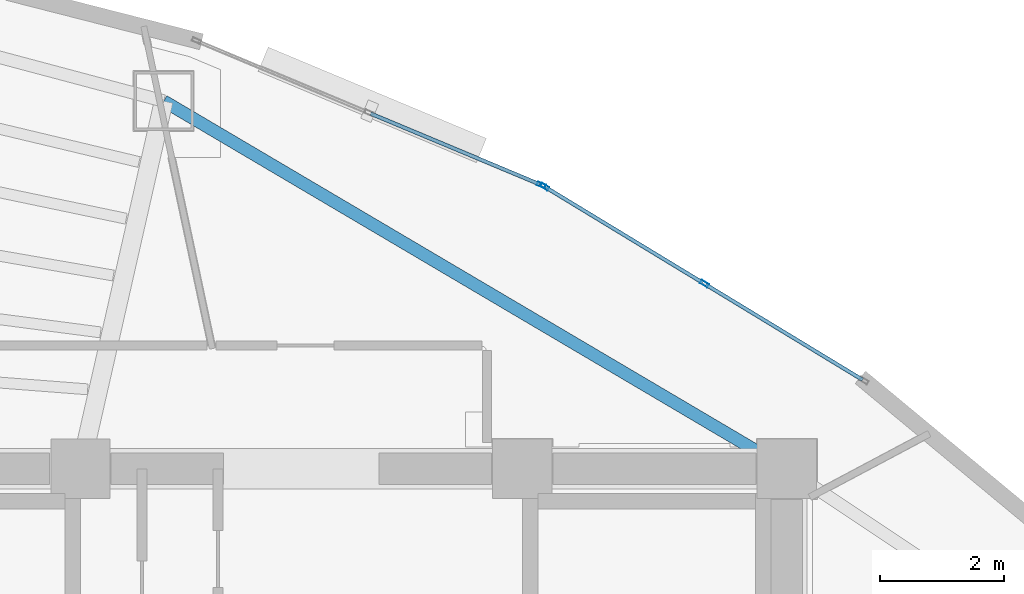
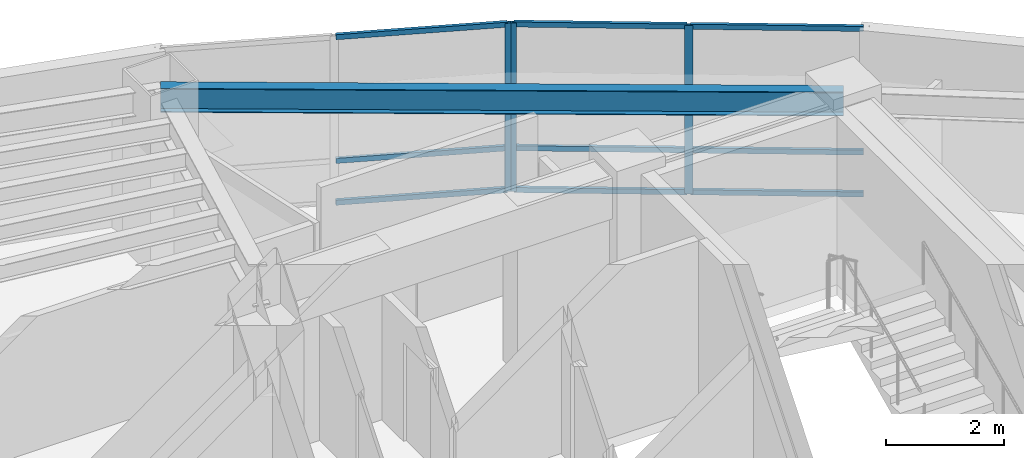
# One storey, part 10 of 15: 12 members, 1 beam, 2 elements without a shape of their own.
"""IFC4 building model written with IfcOpenShell, lengths in metres."""

import ifcopenshell
import ifcopenshell.guid

model = None  # the IFC model being written
_history = None  # IfcOwnerHistory: only IFC2X3 demands one
_inside = {}  # id of a spatial element -> (the spatial element, [elements in it])
_under = {}  # id of a project, library or spatial element -> (it, [spatial elements below it])
_declared = {}  # id of a project -> (the project, [libraries it declares])
_typed = {}  # id of a type object -> (the type object, [elements of that type])
_made_of = {}  # id of a material, layer set ... -> (it, [elements and type objects made of it])


def new_model(schema):
    """Start an empty IFC model of exactly this schema.

    Asked for "IFC4X3", IfcOpenShell would pick the latest addendum, in which some entities
    have other attributes; the version numbers below select the first issue.
    IFC2X3 requires an IfcOwnerHistory on every rooted entity: one is made here for all.
    """
    global model, _history
    if schema == "IFC4X3":
        model = ifcopenshell.file(schema_version=(4, 3, 0, 0))
    else:
        model = ifcopenshell.file(schema=schema)
    _inside.clear()
    _under.clear()
    _declared.clear()
    _typed.clear()
    _made_of.clear()
    _history = None
    if model.schema == "IFC2X3":
        org = make("IfcOrganization", Name="unknown")
        user = make(
            "IfcPersonAndOrganization",
            ThePerson=make("IfcPerson", FamilyName="unknown"),
            TheOrganization=org,
        )
        app = make(
            "IfcApplication",
            ApplicationDeveloper=org,
            Version="unknown",
            ApplicationFullName="unknown",
            ApplicationIdentifier="unknown",
        )
        _history = make(
            "IfcOwnerHistory",
            OwningUser=user,
            OwningApplication=app,
            ChangeAction="ADDED",
            CreationDate=0,
        )
    return model


def make(cls, **values):
    """One entity of the class cls with the attributes given. An attribute that is None is left unset."""
    return model.create_entity(
        cls, **{name: value for name, value in values.items() if value is not None}
    )


def rooted(cls, **values):
    """An entity with a GlobalId (a new one), such as an element, a storey or a relation."""
    return make(cls, GlobalId=ifcopenshell.guid.new(), OwnerHistory=_history, **values)


def si_unit(unit_type, name, prefix=None):
    """IfcSIUnit, for example si_unit("LENGTHUNIT", "METRE", prefix="MILLI")."""
    return make("IfcSIUnit", UnitType=unit_type, Prefix=prefix, Name=name)


def assignment(units):
    """IfcUnitAssignment: the units of a project."""
    return None if units is None else make("IfcUnitAssignment", Units=units)


def point(xyz):
    """IfcCartesianPoint."""
    return None if xyz is None else make("IfcCartesianPoint", Coordinates=xyz)


def direction(xyz):
    """IfcDirection."""
    return None if xyz is None else make("IfcDirection", DirectionRatios=xyz)


def frame(location, z_axis=None, x_axis=None):
    """IfcAxis2Placement3D, a coordinate frame: its origin and axes. An axis left out is left unset."""
    return make(
        "IfcAxis2Placement3D",
        Location=point(location),
        Axis=direction(z_axis),
        RefDirection=direction(x_axis),
    )


def frame_2d(location, x_axis=None):
    """IfcAxis2Placement2D, a coordinate frame in the plane: its origin and x axis."""
    return make(
        "IfcAxis2Placement2D", Location=point(location), RefDirection=direction(x_axis)
    )


def origin():
    """The frame at (0, 0, 0) with its axes left unset."""
    return frame((0.0, 0.0, 0.0))


def origin_2d():
    """The frame at (0, 0) in the plane with its x axis left unset."""
    return frame_2d((0.0, 0.0))


def place(relative_to, where):
    """IfcLocalPlacement: puts the frame where relative to a parent placement (None: the world)."""
    return make(
        "IfcLocalPlacement", PlacementRelTo=relative_to, RelativePlacement=where
    )


def context(
    kind, dimensions, precision=None, world=None, true_north=None, identifier=None
):
    """IfcGeometricRepresentationContext, for example the 3D "Model" context."""
    return make(
        "IfcGeometricRepresentationContext",
        ContextIdentifier=identifier,
        ContextType=kind,
        CoordinateSpaceDimension=dimensions,
        Precision=precision,
        WorldCoordinateSystem=world,
        TrueNorth=true_north,
    )


def subcontext(parent, identifier, kind, view, scale=None):
    """IfcGeometricRepresentationSubContext, for example "Body" below "Model"."""
    return make(
        "IfcGeometricRepresentationSubContext",
        ContextIdentifier=identifier,
        ContextType=kind,
        ParentContext=parent,
        TargetScale=scale,
        TargetView=view,
    )


def project(units=None, contexts=None):
    """IfcProject with its units and contexts."""
    return rooted(
        "IfcProject",
        Name="project",
        RepresentationContexts=contexts,
        UnitsInContext=assignment(units),
    )


def spatial(cls, under=None, at=None, **own):
    """A site, building, storey or space (cls), placed at a placement, below another one or the project."""
    s = rooted(cls, ObjectPlacement=at, **own)
    if under is not None:
        _under.setdefault(under.id(), (under, []))[1].append(s)
    return s


def profile(cls, at=None, kind="AREA", **sizes):
    """A parametric profile (cls). Its sizes go by their IFC names, for example OverallWidth=200.0."""
    return make(cls, ProfileType=kind, Position=at, **sizes)


def hollow_rectangle(**sizes):
    """IfcRectangleHollowProfileDef."""
    return profile("IfcRectangleHollowProfileDef", **sizes)


def i_section(**sizes):
    """IfcIShapeProfileDef."""
    return profile("IfcIShapeProfileDef", **sizes)


def extrude(swept, where, along, depth):
    """IfcExtrudedAreaSolid: the profile swept, set in the frame where, extruded along a direction by depth."""
    return make(
        "IfcExtrudedAreaSolid",
        SweptArea=swept,
        Position=where,
        ExtrudedDirection=direction(along),
        Depth=depth,
    )


def shape(context_of_items, identifier, shape_type, items):
    """IfcShapeRepresentation: the items that make up one representation, for example the "Body"."""
    return make(
        "IfcShapeRepresentation",
        ContextOfItems=context_of_items,
        RepresentationIdentifier=identifier,
        RepresentationType=shape_type,
        Items=items,
    )


def material(Name=None, Category=None):
    """IfcMaterial."""
    return make("IfcMaterial", Name=Name, Category=Category)


def layer(
    of_material, thickness, ventilated=None, Name=None, Category=None, Priority=None
):
    """IfcMaterialLayer: one layer of a wall or slab, of a material (None: an air gap)."""
    return make(
        "IfcMaterialLayer",
        Material=of_material,
        LayerThickness=thickness,
        IsVentilated=ventilated,
        Name=Name,
        Category=Category,
        Priority=Priority,
    )


def layer_set(layers, Name=None):
    """IfcMaterialLayerSet."""
    return make("IfcMaterialLayerSet", MaterialLayers=layers, LayerSetName=Name)


def material_profile(
    of_material, cross_section, Name=None, Category=None, Priority=None
):
    """IfcMaterialProfile: a cross section and its material."""
    return make(
        "IfcMaterialProfile",
        Name=Name,
        Material=of_material,
        Profile=cross_section,
        Priority=Priority,
        Category=Category,
    )


def profile_set(profiles, Name=None, composite=None):
    """IfcMaterialProfileSet."""
    return make(
        "IfcMaterialProfileSet",
        Name=Name,
        MaterialProfiles=profiles,
        CompositeProfile=composite,
    )


def made_of(thing, what):
    """Note that an element or type object is made of a material, layer set ...; save() writes the relation."""
    if what is not None:
        _made_of.setdefault(what.id(), (what, []))[1].append(thing)
    return thing


def type_object(cls, material=None, **own):
    """A type object (cls), such as IfcWallType, which elements share."""
    return made_of(rooted(cls, **own), material)


def element(
    cls,
    number,
    at=None,
    inside=None,
    cuts=None,
    type_object=None,
    material=None,
    context=None,
    identifier="Body",
    shape_type=None,
    held_by="IfcProductDefinitionShape",
    body=None,
    shapes=None,
    **own,
):
    """One element of the class cls, such as IfcWall. Its Tag is "e" and its number.

    at: its placement. inside: the storey or other place that contains it. cuts: it is an
    opening in that element (IfcRelVoidsElement). A single representation is given by context,
    identifier, shape_type and body (its items); several are given by shapes. held_by: the class
    of the entity that holds the representations. save() writes the other relations.
    """
    e = rooted(cls, Tag="e%d" % number, ObjectPlacement=at, **own)
    if body is not None:
        shapes = [shape(context, identifier, shape_type, body)]
    if shapes is not None:
        e.Representation = make(held_by, Representations=shapes)
    if inside is not None:
        _inside.setdefault(inside.id(), (inside, []))[1].append(e)
    if cuts is not None:
        rooted(
            "IfcRelVoidsElement", RelatingBuildingElement=cuts, RelatedOpeningElement=e
        )
    if type_object is not None:
        _typed.setdefault(type_object.id(), (type_object, []))[1].append(e)
    return made_of(e, material)


def aggregate(whole, parts):
    """IfcRelAggregates: a whole, such as a stair, and the parts it consists of."""
    return rooted("IfcRelAggregates", RelatingObject=whole, RelatedObjects=parts)


def save(model, path):
    """Write the relations noted so far, then the file.

    IfcRelAggregates (storeys below a building ...), IfcRelContainedInSpatialStructure (elements
    in a storey), IfcRelDefinesByType, IfcRelAssociatesMaterial and IfcRelDeclares: one each for
    every whole, place, type object, material and project.
    """
    for whole, parts in _under.values():
        aggregate(whole, parts)
    for where, things in _inside.values():
        rooted(
            "IfcRelContainedInSpatialStructure",
            RelatedElements=things,
            RelatingStructure=where,
        )
    for kind, things in _typed.values():
        rooted("IfcRelDefinesByType", RelatedObjects=things, RelatingType=kind)
    for what, things in _made_of.values():
        rooted("IfcRelAssociatesMaterial", RelatedObjects=things, RelatingMaterial=what)
    for by, libraries in _declared.values():
        rooted("IfcRelDeclares", RelatingContext=by, RelatedDefinitions=libraries)
    model.write(path)


model = new_model("IFC4")

# Units and contexts
model_context = context("Model", 3, precision=1e-05, world=origin(), true_north=direction((0.0, 1.0)))
body_context = subcontext(model_context, "Body", "Model", "MODEL_VIEW")
ifc_project = project(units=[si_unit("LENGTHUNIT", "METRE"), si_unit("AREAUNIT", "SQUARE_METRE"), si_unit("VOLUMEUNIT", "CUBIC_METRE"), si_unit("PLANEANGLEUNIT", "RADIAN"), si_unit("MASSUNIT", "GRAM", prefix="KILO")], contexts=[model_context])

# Site, building, storey
site_placement = place(None, origin())
site = spatial("IfcSite", under=ifc_project, at=site_placement, CompositionType="ELEMENT")
building_placement = place(site_placement, origin())
building = spatial("IfcBuilding", under=site, at=building_placement, Name="Menara Vayukalpa", CompositionType="ELEMENT")
storey_placement = place(building_placement, frame((0.0, 0.0, 223.260009765625)))
storey = spatial("IfcBuildingStorey", under=building, at=storey_placement, Name="L56", CompositionType="ELEMENT", Elevation=223.260009765625)

# Beam
ifc_material_1 = material(Name="Steel S355", Category="steel")
ifc_material_profile_1 = material_profile(ifc_material_1, i_section(OverallWidth=0.199951171875, OverallDepth=0.5, WebThickness=0.010009765625, FlangeThickness=0.01611328125, at=origin_2d()), Name="WF 500x200x10x16")
ifc_profile_set_1 = profile_set([ifc_material_profile_1], Name="Steel S355")
beam_type = type_object("IfcBeamType", Name="BM-SP3", PredefinedType="SPANDREL", material=ifc_profile_set_1)
beam_placement = place(storey_placement, frame((33.39990234375, 26.800048828125, 3.25), z_axis=(-0.861184403346, 0.508292655302, 0.0), x_axis=(-0.508292655302, -0.861184403346, 0.0)))
element("IfcBeam", 1, at=beam_placement, inside=storey, type_object=beam_type, Name="L56 Perimeter Spandrel Beam SP02", PredefinedType="SPANDREL", context=body_context, shape_type="SweptSolid", body=[
    extrude(i_section(OverallWidth=0.199951171875, OverallDepth=0.5, WebThickness=0.010009765625, FlangeThickness=0.01611328125, at=origin_2d()), origin(), (0.0, 0.0, 1.0), 11.6240234375),
])

# Curtain wall, members
ifc_material_2 = material(Name="Anodised Terracotta Aluminium Alloy 6063-T6", Category="masonry")
ifc_layer = layer(ifc_material_2, 0.139892578125)
ifc_layer_set = layer_set([ifc_layer], Name="Anodised Terracotta Aluminium Alloy 6063-T6")
curtain_wall_type = type_object("IfcCurtainWallType", Name="CW-CW5", PredefinedType="USERDEFINED", material=ifc_layer_set)
curtain_wall_1_placement = place(storey_placement, origin())
curtain_wall_1 = element("IfcCurtainWall", 2, at=curtain_wall_1_placement, inside=storey, type_object=curtain_wall_type, Name="L56 High Rise Tapered Curtain Wall CW5 04", ObjectType="UNITISED", PredefinedType="USERDEFINED")
ifc_material_3 = material(Name="Anodised Terracotta Aluminium Alloy 6063-T6", Category="masonry")
ifc_material_profile_2 = material_profile(ifc_material_3, hollow_rectangle(XDim=0.06005859375, YDim=0.139892578125, WallThickness=0.00341796875, at=origin_2d()), Name="ALU 60x140x3.5")
ifc_profile_set_2 = profile_set([ifc_material_profile_2], Name="Anodised Terracotta Aluminium Alloy 6063-T6")
member_type_1 = type_object("IfcMemberType", Name="CWM-CW5", PredefinedType="MULLION", material=ifc_profile_set_2)
member_1_placement = place(storey_placement, frame((32.075439453125, 29.773681640625, 0.0), z_axis=(0.0, 0.0, 1.0), x_axis=(-0.519179911779, -0.854664974832, 0.0)))
member_1 = element("IfcMember", 3, at=member_1_placement, type_object=member_type_1, Name="CW5 mullion 2", PredefinedType="MULLION", context=body_context, shape_type="SweptSolid", body=[
    extrude(hollow_rectangle(XDim=0.06005859375, YDim=0.139892578125, WallThickness=0.00341796875, at=origin_2d()), origin(), (0.0, 0.0, 1.0), 3.5),
])
member_2_placement = place(storey_placement, frame((29.509521484375, 31.33251953125, 0.0), z_axis=(0.0, 0.0, 1.0), x_axis=(-0.519179911779, -0.854664974832, 0.0)))
member_2 = element("IfcMember", 4, at=member_2_placement, type_object=member_type_1, Name="CW5 mullion 3", PredefinedType="MULLION", context=body_context, shape_type="SweptSolid", body=[
    extrude(hollow_rectangle(XDim=0.06005859375, YDim=0.139892578125, WallThickness=0.00341796875, at=origin_2d()), origin(), (0.0, 0.0, 1.0), 3.5),
])

# Curtain wall, member
curtain_wall_2_placement = place(storey_placement, origin())
curtain_wall_2 = element("IfcCurtainWall", 5, at=curtain_wall_2_placement, inside=storey, type_object=curtain_wall_type, Name="L56 High Rise Tapered Curtain Wall CW5 05", ObjectType="UNITISED", PredefinedType="USERDEFINED")
member_3_placement = place(storey_placement, frame((29.4560546875, 31.359619140625, 0.0), z_axis=(0.0, 0.0, 1.0), x_axis=(-0.385902834406, -0.922539431351, 0.0)))
member_3 = element("IfcMember", 6, at=member_3_placement, type_object=member_type_1, Name="CW5 mullion 1", PredefinedType="MULLION", context=body_context, shape_type="SweptSolid", body=[
    extrude(hollow_rectangle(XDim=0.06005859375, YDim=0.139892578125, WallThickness=0.00341796875, at=origin_2d()), origin(), (0.0, 0.0, 1.0), 3.5),
])

# Member
ifc_material_4 = material(Name="Anodised Terracotta Aluminium Alloy 6063-T6", Category="masonry")
ifc_material_profile_3 = material_profile(ifc_material_4, hollow_rectangle(XDim=0.06005859375, YDim=0.10498046875, WallThickness=0.0029296875, at=origin_2d()), Name="ALU 60x105x3")
ifc_profile_set_3 = profile_set([ifc_material_profile_3], Name="Anodised Terracotta Aluminium Alloy 6063-T6")
member_type_2 = type_object("IfcMemberType", Name="CWT-CW5", PredefinedType="USERDEFINED", material=ifc_profile_set_3)
member_4_placement = place(storey_placement, frame((34.615966796875, 28.23046875, 0.030029296875), z_axis=(-0.854683649113, 0.519149169255, 0.0), x_axis=(-0.519149169255, -0.854683649113, 0.0)))
member_4 = element("IfcMember", 7, at=member_4_placement, type_object=member_type_2, Name="CW5 transom 1.1", ObjectType="TRANSOM", PredefinedType="USERDEFINED", context=body_context, shape_type="SweptSolid", body=[
    extrude(hollow_rectangle(XDim=0.06005859375, YDim=0.10498046875, WallThickness=0.0029296875, at=origin_2d()), origin(), (0.0, 0.0, 1.0), 2.9423828125),
])

member_5_placement = place(storey_placement, frame((34.615966796875, 28.23046875, 0.89990234375), z_axis=(-0.854683649113, 0.519149169255, 0.0), x_axis=(-0.519149169255, -0.854683649113, 0.0)))
member_5 = element("IfcMember", 8, at=member_5_placement, type_object=member_type_2, Name="CW5 transom 1.2", ObjectType="TRANSOM", PredefinedType="USERDEFINED", context=body_context, shape_type="SweptSolid", body=[
    extrude(hollow_rectangle(XDim=0.06005859375, YDim=0.10498046875, WallThickness=0.0029296875, at=origin_2d()), origin(), (0.0, 0.0, 1.0), 2.9423828125),
])

member_6_placement = place(storey_placement, frame((34.615966796875, 28.23046875, 3.469970703125), z_axis=(-0.854683649113, 0.519149169255, 0.0), x_axis=(-0.519149169255, -0.854683649113, 0.0)))
member_6 = element("IfcMember", 9, at=member_6_placement, type_object=member_type_2, Name="CW5 transom 1.3", ObjectType="TRANSOM", PredefinedType="USERDEFINED", context=body_context, shape_type="SweptSolid", body=[
    extrude(hollow_rectangle(XDim=0.06005859375, YDim=0.10498046875, WallThickness=0.0029296875, at=origin_2d()), origin(), (0.0, 0.0, 1.0), 2.9423828125),
])

member_7_placement = place(storey_placement, frame((32.0498046875, 29.789306640625, 0.030029296875), z_axis=(-0.85466128475, 0.51918598628, 0.0), x_axis=(-0.51918598628, -0.85466128475, 0.0)))
member_7 = element("IfcMember", 10, at=member_7_placement, type_object=member_type_2, Name="CW5 transom 2.1", ObjectType="TRANSOM", PredefinedType="USERDEFINED", context=body_context, shape_type="SweptSolid", body=[
    extrude(hollow_rectangle(XDim=0.06005859375, YDim=0.10498046875, WallThickness=0.0029296875, at=origin_2d()), origin(), (0.0, 0.0, 1.0), 2.9423828125),
])

member_8_placement = place(storey_placement, frame((32.0498046875, 29.789306640625, 0.89990234375), z_axis=(-0.85466128475, 0.51918598628, 0.0), x_axis=(-0.51918598628, -0.85466128475, 0.0)))
member_8 = element("IfcMember", 11, at=member_8_placement, type_object=member_type_2, Name="CW5 transom 2.2", ObjectType="TRANSOM", PredefinedType="USERDEFINED", context=body_context, shape_type="SweptSolid", body=[
    extrude(hollow_rectangle(XDim=0.06005859375, YDim=0.10498046875, WallThickness=0.0029296875, at=origin_2d()), origin(), (0.0, 0.0, 1.0), 2.9423828125),
])

member_9_placement = place(storey_placement, frame((32.0498046875, 29.789306640625, 3.469970703125), z_axis=(-0.85466128475, 0.51918598628, 0.0), x_axis=(-0.51918598628, -0.85466128475, 0.0)))
member_9 = element("IfcMember", 12, at=member_9_placement, type_object=member_type_2, Name="CW5 transom 2.3", ObjectType="TRANSOM", PredefinedType="USERDEFINED", context=body_context, shape_type="SweptSolid", body=[
    extrude(hollow_rectangle(XDim=0.06005859375, YDim=0.10498046875, WallThickness=0.0029296875, at=origin_2d()), origin(), (0.0, 0.0, 1.0), 2.9423828125),
])

aggregate(curtain_wall_1, [member_1, member_2, member_4, member_5, member_6, member_7, member_8, member_9])

member_10_placement = place(storey_placement, frame((29.428466796875, 31.371337890625, 0.030029296875), z_axis=(-0.922543360613, 0.385893440976, 0.0), x_axis=(-0.385893440976, -0.922543360613, 0.0)))
member_10 = element("IfcMember", 13, at=member_10_placement, type_object=member_type_2, Name="CW5 transom 1.1", ObjectType="TRANSOM", PredefinedType="USERDEFINED", context=body_context, shape_type="SweptSolid", body=[
    extrude(hollow_rectangle(XDim=0.06005859375, YDim=0.10498046875, WallThickness=0.0029296875, at=origin_2d()), origin(), (0.0, 0.0, 1.0), 2.942626953125),
])

member_11_placement = place(storey_placement, frame((29.428466796875, 31.371337890625, 0.89990234375), z_axis=(-0.922543360613, 0.385893440976, 0.0), x_axis=(-0.385893440976, -0.922543360613, 0.0)))
member_11 = element("IfcMember", 14, at=member_11_placement, type_object=member_type_2, Name="CW5 transom 1.2", ObjectType="TRANSOM", PredefinedType="USERDEFINED", context=body_context, shape_type="SweptSolid", body=[
    extrude(hollow_rectangle(XDim=0.06005859375, YDim=0.10498046875, WallThickness=0.0029296875, at=origin_2d()), origin(), (0.0, 0.0, 1.0), 2.942626953125),
])

member_12_placement = place(storey_placement, frame((29.428466796875, 31.371337890625, 3.469970703125), z_axis=(-0.922543360613, 0.385893440976, 0.0), x_axis=(-0.385893440976, -0.922543360613, 0.0)))
member_12 = element("IfcMember", 15, at=member_12_placement, type_object=member_type_2, Name="CW5 transom 1.3", ObjectType="TRANSOM", PredefinedType="USERDEFINED", context=body_context, shape_type="SweptSolid", body=[
    extrude(hollow_rectangle(XDim=0.06005859375, YDim=0.10498046875, WallThickness=0.0029296875, at=origin_2d()), origin(), (0.0, 0.0, 1.0), 2.942626953125),
])

aggregate(curtain_wall_2, [member_3, member_10, member_11, member_12])

save(model, "model.ifc")
